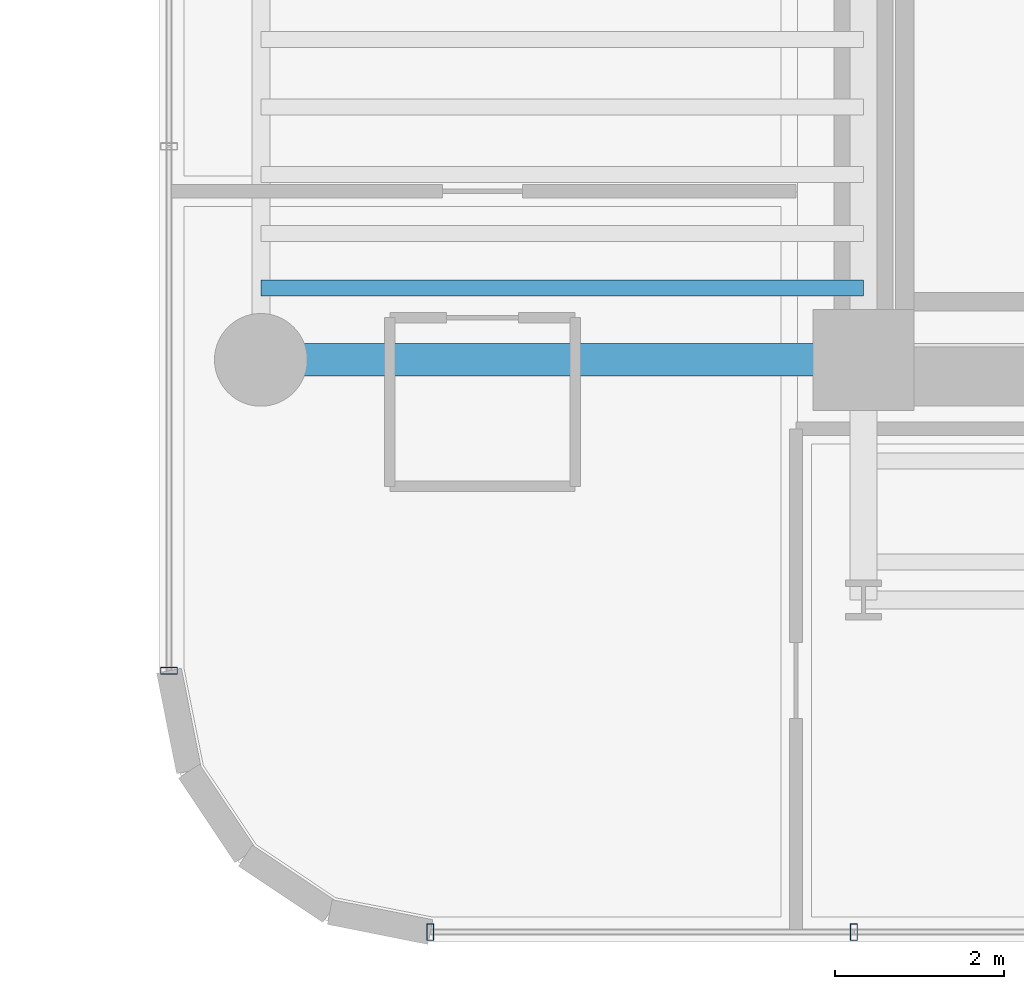
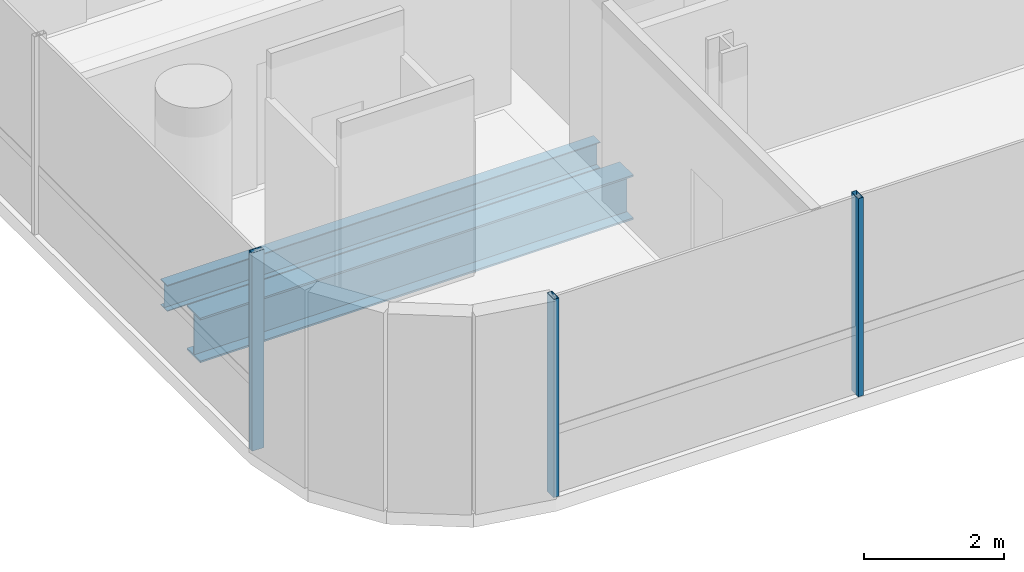
# One storey, part 2 of 35: 3 members, 2 beams, 2 elements without a shape of their own.
"""IFC4 building model written with IfcOpenShell, lengths in metres."""

from ifc_helpers import new_model, si_unit, direction, frame, origin, origin_2d, place, context, subcontext, project, spatial, hollow_rectangle, i_section, extrude, source, transform, mapped, material, material_profile, profile_set, type_object, element, aggregate, save


model = new_model("IFC4")

# Units and contexts
model_context = context("Model", 3, precision=1e-05, world=origin(), true_north=direction((0.0, 1.0)))
body_context = subcontext(model_context, "Body", "Model", "MODEL_VIEW")
ifc_project = project(units=[si_unit("LENGTHUNIT", "METRE"), si_unit("AREAUNIT", "SQUARE_METRE"), si_unit("VOLUMEUNIT", "CUBIC_METRE"), si_unit("PLANEANGLEUNIT", "RADIAN"), si_unit("MASSUNIT", "GRAM", prefix="KILO")], contexts=[model_context])

# Site, building, storey
site_placement = place(None, origin())
site = spatial("IfcSite", under=ifc_project, at=site_placement, CompositionType="ELEMENT")
building_placement = place(site_placement, origin())
building = spatial("IfcBuilding", under=site, at=building_placement, Name="Valdorenza Pilgrim Sanctuary Tower", CompositionType="ELEMENT")
storey_placement = place(building_placement, frame((0.0, 0.0, 116.800048828125)))
storey = spatial("IfcBuildingStorey", under=building, at=storey_placement, Name="L29", CompositionType="ELEMENT", Elevation=116.800048828125)

# Beams
ifc_material_1 = material(Name="Steel ASTM A992 Grade 50", Category="steel")
ifc_material_profile_1 = material_profile(ifc_material_1, i_section(OverallWidth=0.382080078125, OverallDepth=0.779052734375, WebThickness=0.01806640625, FlangeThickness=0.030029296875, at=origin_2d()), Name="W30X191")
ifc_profile_set_1 = profile_set([ifc_material_profile_1], Name="Steel ASTM A992 Grade 50")
beam_type_1 = type_object("IfcBeamType", Name="STR-BM-GRD-W30", PredefinedType="BEAM", material=ifc_profile_set_1)
shared_shape_1 = source(origin(), body_context, "Body", "SweptSolid", [
    extrude(i_section(OverallWidth=0.382080078125, OverallDepth=0.779052734375, WebThickness=0.01806640625, FlangeThickness=0.030029296875, at=origin_2d()), origin(), (0.0, 0.0, 1.0), 7.150146484375),
])
beam_1_placement = place(storey_placement, frame((-29.800048828125, -10.60009765625, -0.629638671875), z_axis=(1.0, 0.0, 0.0), x_axis=(0.0, 1.0, 0.0)))
element("IfcBeam", 1, at=beam_1_placement, inside=storey, type_object=beam_type_1, Name="L29 Floor Girder WA-XW-S1", PredefinedType="BEAM", context=body_context, shape_type="MappedRepresentation", body=[
    mapped(shared_shape_1, transform((0.0, 0.0, 0.0), x_axis=(1.0, 0.0, 0.0), y_axis=(0.0, 1.0, 0.0), z_axis=(0.0, 0.0, 1.0), scale=1.0)),
])
ifc_material_profile_2 = material_profile(ifc_material_1, i_section(OverallWidth=0.19091796875, OverallDepth=0.45703125, WebThickness=0.009033203125, FlangeThickness=0.014404296875, at=origin_2d()), Name="W18X50")
ifc_profile_set_2 = profile_set([ifc_material_profile_2], Name="Steel ASTM A992 Grade 50")
beam_type_2 = type_object("IfcBeamType", Name="STR-BM-JST-W18B", PredefinedType="JOIST", material=ifc_profile_set_2)
shared_shape_2 = source(origin(), body_context, "Body", "SweptSolid", [
    extrude(i_section(OverallWidth=0.19091796875, OverallDepth=0.45703125, WebThickness=0.009033203125, FlangeThickness=0.014404296875, at=origin_2d()), origin(), (0.0, 0.0, 1.0), 7.150146484375),
])
beam_2_placement = place(storey_placement, frame((-29.800048828125, -9.75, -0.468505859375), z_axis=(1.0, 0.0, 0.0), x_axis=(0.0, 1.0, 0.0)))
element("IfcBeam", 2, at=beam_2_placement, inside=storey, type_object=beam_type_2, Name="L29 Composite Floor Joist JST-WA-1", PredefinedType="JOIST", context=body_context, shape_type="MappedRepresentation", body=[
    mapped(shared_shape_2, transform((0.0, 0.0, 0.0), x_axis=(1.0, 0.0, 0.0), y_axis=(0.0, 1.0, 0.0), z_axis=(0.0, 0.0, 1.0), scale=1.0)),
])

# Curtain wall, member
ifc_material_2 = material(Name="Curtain-wall IGU glazing", Category="glass")
curtain_wall_type = type_object("IfcCurtainWallType", Name="CW-SYS-02", PredefinedType="NOTDEFINED", material=ifc_material_2)
curtain_wall_1_placement = place(storey_placement, origin())
curtain_wall_1 = element("IfcCurtainWall", 3, at=curtain_wall_1_placement, inside=storey, type_object=curtain_wall_type, Name="L29 Curtain Wall CW-L29-1-1S1", PredefinedType="NOTDEFINED")
ifc_material_3 = material(Name="Anodised aluminium AW-6060", Category="aluminium")
ifc_material_profile_3 = material_profile(ifc_material_3, hollow_rectangle(XDim=0.0849609375, YDim=0.199951171875, WallThickness=0.0048828125, at=origin_2d()), Name="ALU-M 200x85x5")
ifc_profile_set_3 = profile_set([ifc_material_profile_3], Name="Anodised aluminium AW-6060")
member_type = type_object("IfcMemberType", Name="CW-MUL-02", PredefinedType="MULLION", material=ifc_profile_set_3)
shared_shape_3 = source(origin(), body_context, "Body", "SweptSolid", [
    extrude(hollow_rectangle(XDim=0.0849609375, YDim=0.199951171875, WallThickness=0.0048828125, at=origin_2d()), origin(), (0.0, 0.0, 1.0), 3.4599609375),
])
member_1_placement = place(storey_placement, frame((-30.889892578125, -14.289306640625, 0.0), z_axis=(0.0, 0.0, 1.0), x_axis=(0.0, 1.0, 0.0)))
member_1 = element("IfcMember", 4, at=member_1_placement, type_object=member_type, Name="CW-L29-1-1S1 Mullion 1", PredefinedType="MULLION", context=body_context, shape_type="MappedRepresentation", body=[
    mapped(shared_shape_3, transform((0.0, 0.0, 0.0), x_axis=(1.0, 0.0, 0.0), y_axis=(0.0, 1.0, 0.0), z_axis=(0.0, 0.0, 1.0), scale=1.0)),
])
aggregate(curtain_wall_1, [member_1])

# Curtain wall, members
curtain_wall_2_placement = place(storey_placement, origin())
curtain_wall_2 = element("IfcCurtainWall", 5, at=curtain_wall_2_placement, inside=storey, type_object=curtain_wall_type, Name="L29 Curtain Wall CW-L29-1-46", PredefinedType="NOTDEFINED")
member_2_placement = place(storey_placement, frame((-22.76318359375, -17.389892578125, 0.0), z_axis=(0.0, 0.0, 1.0), x_axis=(-1.0, 0.0, 0.0)))
member_2 = element("IfcMember", 6, at=member_2_placement, type_object=member_type, Name="CW-L29-1-46 Mullion 3", PredefinedType="MULLION", context=body_context, shape_type="MappedRepresentation", body=[
    mapped(shared_shape_3, transform((0.0, 0.0, 0.0), x_axis=(1.0, 0.0, 0.0), y_axis=(0.0, 1.0, 0.0), z_axis=(0.0, 0.0, 1.0), scale=1.0)),
])
member_3_placement = place(storey_placement, frame((-27.789306640625, -17.389892578125, 0.0), z_axis=(0.0, 0.0, 1.0), x_axis=(-1.0, 0.0, 0.0)))
member_3 = element("IfcMember", 7, at=member_3_placement, type_object=member_type, Name="CW-L29-1-46 Mullion 4", PredefinedType="MULLION", context=body_context, shape_type="MappedRepresentation", body=[
    mapped(shared_shape_3, transform((0.0, 0.0, 0.0), x_axis=(1.0, 0.0, 0.0), y_axis=(0.0, 1.0, 0.0), z_axis=(0.0, 0.0, 1.0), scale=1.0)),
])
aggregate(curtain_wall_2, [member_2, member_3])

save(model, "model.ifc")
